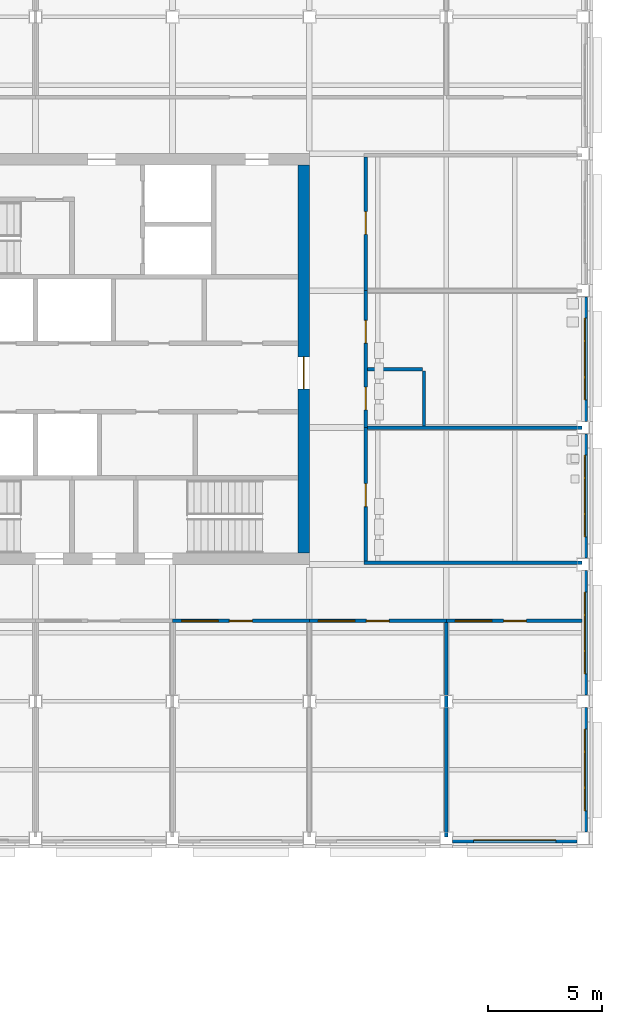
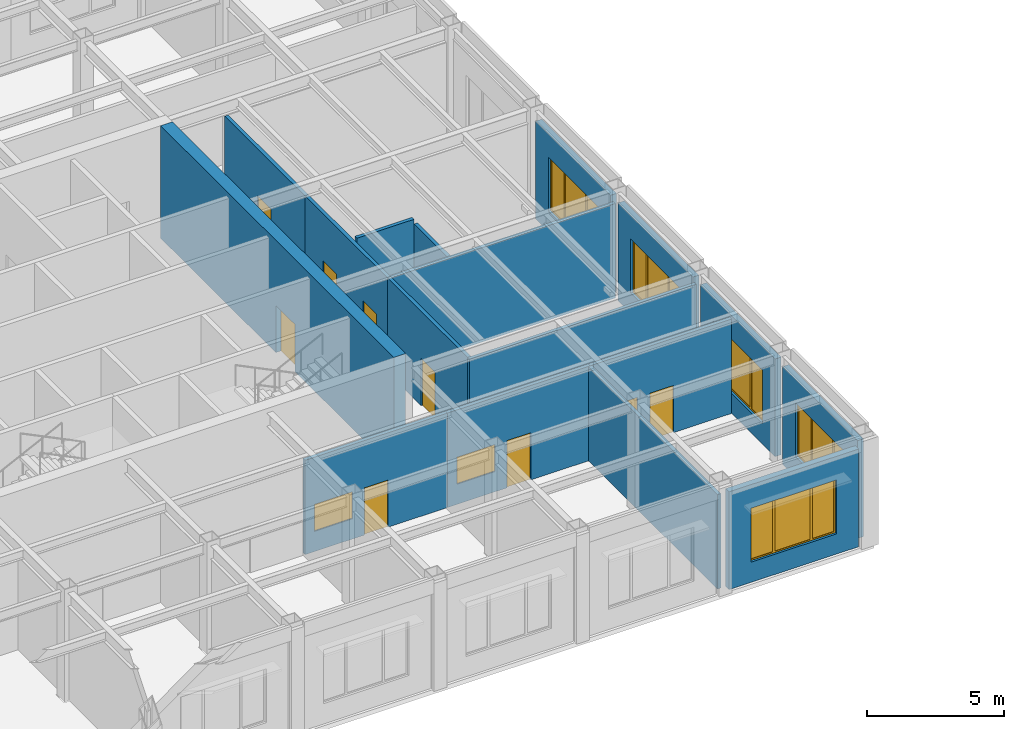
# One storey, part 43 of 76: 17 walls, 8 doors, 8 windows, 16 openings.
"""IFC4 building model written with IfcOpenShell, lengths in metres."""

from ifc_helpers import new_model, si_unit, direction, frame, frame_2d, origin, place, context, subcontext, project, spatial, polyline, rectangle, outline, extrude, material, layer, layer_set, type_object, element, fill, save


model = new_model("IFC4")

# Units and contexts
model_context = context("Model", 3, precision=1e-05, world=origin(), true_north=direction((0.0, 1.0)))
body_context = subcontext(model_context, "Body", "Model", "MODEL_VIEW")
ifc_project = project(units=[si_unit("LENGTHUNIT", "METRE"), si_unit("AREAUNIT", "SQUARE_METRE"), si_unit("VOLUMEUNIT", "CUBIC_METRE"), si_unit("PLANEANGLEUNIT", "RADIAN"), si_unit("MASSUNIT", "GRAM", prefix="KILO")], contexts=[model_context])

# Site, building, storey
site_placement = place(None, origin())
site = spatial("IfcSite", under=ifc_project, at=site_placement, CompositionType="ELEMENT")
building_placement = place(site_placement, origin())
building = spatial("IfcBuilding", under=site, at=building_placement, Name="Aravalli Gate Trade Fair Centre", CompositionType="ELEMENT")
storey_placement = place(building_placement, frame((0.0, 0.0, 10.0)))
storey = spatial("IfcBuildingStorey", under=building, at=storey_placement, Name="L02", CompositionType="ELEMENT", Elevation=10.0)

# Wall, opening, door
ifc_material_1 = material(Name="Concrete M50", Category="concrete")
ifc_layer_1 = layer(ifc_material_1, 0.5)
ifc_layer_set_1 = layer_set([ifc_layer_1], Name="Concrete M50")
wall_type_1 = type_object("IfcWallType", Name="Wing core shear wall 500", PredefinedType="SHEAR", material=ifc_layer_set_1)
wall_1_placement = place(storey_placement, frame((189.75, 103.5, 0.0), z_axis=(0.0, 0.0, 1.0), x_axis=(0.0, 1.0, 0.0)))
wall_1 = element("IfcWall", 1, at=wall_1_placement, inside=storey, type_object=wall_type_1, Name="Core wall E L02", PredefinedType="SHEAR", context=body_context, shape_type="SweptSolid", body=[
    extrude(rectangle(XDim=17.0, YDim=0.5, at=frame_2d((8.5, 0.0))), origin(), (0.0, 0.0, 1.0), 5.0),
])
opening_1_placement = place(wall_1_placement, frame((7.199951171875, 0.0, 0.0)))
opening_1 = element("IfcOpeningElement", 2, at=opening_1_placement, cuts=wall_1, Name="Opening T-L02-107", PredefinedType="OPENING", context=body_context, shape_type="SweptSolid", body=[
    extrude(rectangle(XDim=1.39990234375, YDim=2.10009765625, at=frame_2d((0.699951171875, 1.050048828125))), frame((0.0, 0.260009765625, 0.0), z_axis=(0.0, -1.0, 0.0), x_axis=(1.0, 0.0, 0.0)), (0.0, 0.0, 1.0), 0.52001953125),
])
ifc_material_2 = material(Name="Steel, fire rated", Category="steel")
door_type_1 = type_object("IfcDoorType", Name="Wing fire door FD120 1400 x 2100", OperationType="DOUBLE_DOOR_SINGLE_SWING", PredefinedType="DOOR", material=ifc_material_2)
door_1_placement = place(opening_1_placement, frame((1.39990234375, 0.0, 0.0), z_axis=(0.0, 0.0, 1.0), x_axis=(-1.0, 0.0, 0.0)))
door_1 = element("IfcDoor", 3, at=door_1_placement, inside=storey, type_object=door_type_1, Name="Core door T-L02-107", OperationType="DOUBLE_DOOR_SINGLE_SWING", OverallHeight=2.10009765625, OverallWidth=1.39990234375, PredefinedType="DOOR", context=body_context, shape_type="SweptSolid", body=[
    extrude(rectangle(XDim=1.39990234375, YDim=2.10009765625, at=frame_2d((0.699951171875, 1.050048828125))), frame((0.0, 0.02490234375, 0.0), z_axis=(0.0, -1.0, 0.0), x_axis=(1.0, 0.0, 0.0)), (0.0, 0.0, 1.0), 0.050048828125),
])
fill(opening_1, door_1)

# Wall, openings, door, window
ifc_material_3 = material(Name="Blockwork with fire-rated lining", Category="masonry")
ifc_layer_2 = layer(ifc_material_3, 0.14990234375)
ifc_layer_set_2 = layer_set([ifc_layer_2], Name="Blockwork with fire-rated lining")
wall_type_2 = type_object("IfcWallType", Name="Wing partition 150 (EI 60, corridor wall)", PredefinedType="PARTITIONING", material=ifc_layer_set_2)
wall_2_placement = place(storey_placement, frame((184.0, 100.52490234375, 0.0), z_axis=(0.0, 0.0, 1.0), x_axis=(1.0, 0.0, 0.0)))
wall_2 = element("IfcWall", 4, at=wall_2_placement, inside=storey, type_object=wall_type_2, Name="Partition SW5 L02", PredefinedType="PARTITIONING", context=body_context, shape_type="SweptSolid", body=[
    extrude(rectangle(XDim=6.0, YDim=0.14990234375, at=frame_2d((3.0, 0.0))), origin(), (0.0, 0.0, 1.0), 4.199951171875),
])
opening_2_placement = place(wall_2_placement, frame((0.39990234375, 0.0, 0.89990234375)))
opening_2 = element("IfcOpeningElement", 5, at=opening_2_placement, cuts=wall_2, Name="Opening TWN2", PredefinedType="OPENING", context=body_context, shape_type="SweptSolid", body=[
    extrude(rectangle(XDim=1.60009765625, YDim=1.199951171875, at=frame_2d((0.800048828125, 0.60009765625))), frame((0.0, 0.0849609375, 0.0), z_axis=(0.0, -1.0, 0.0), x_axis=(1.0, 0.0, 0.0)), (0.0, 0.0, 1.0), 0.169921875),
])
opening_3_placement = place(wall_2_placement, frame((2.5, 0.0, 0.0)))
opening_3 = element("IfcOpeningElement", 6, at=opening_3_placement, cuts=wall_2, Name="Opening T-L02-145", PredefinedType="OPENING", context=body_context, shape_type="SweptSolid", body=[
    extrude(rectangle(XDim=1.0, YDim=2.10009765625, at=frame_2d((0.5, 1.050048828125))), frame((0.0, 0.0849609375, 0.0), z_axis=(0.0, -1.0, 0.0), x_axis=(1.0, 0.0, 0.0)), (0.0, 0.0, 1.0), 0.169921875),
])
door_type_2 = type_object("IfcDoorType", Name="Wing fire door FD60 1000 x 2100", OperationType="SINGLE_SWING_LEFT", PredefinedType="DOOR", material=ifc_material_2)
door_2_placement = place(opening_3_placement, frame((1.0, 0.0, 0.0), z_axis=(0.0, 0.0, 1.0), x_axis=(-1.0, 0.0, 0.0)))
door_2 = element("IfcDoor", 7, at=door_2_placement, inside=storey, type_object=door_type_2, Name="Door T-L02-145", OperationType="SINGLE_SWING_RIGHT", OverallHeight=2.10009765625, OverallWidth=1.0, PredefinedType="DOOR", context=body_context, shape_type="SweptSolid", body=[
    extrude(rectangle(XDim=1.0, YDim=2.10009765625, at=frame_2d((0.5, 1.050048828125))), frame((0.0, 0.02490234375, 0.0), z_axis=(0.0, -1.0, 0.0), x_axis=(1.0, 0.0, 0.0)), (0.0, 0.0, 1.0), 0.050048828125),
])
fill(opening_3, door_2)
ifc_material_4 = material(Name="Aluminium and glass", Category="aluminium")
window_type_1 = type_object("IfcWindowType", Name="Wing interior glazed screen 1600 x 1200", PartitioningType="SINGLE_PANEL", PredefinedType="WINDOW", material=ifc_material_4)
window_1_placement = place(opening_2_placement, origin())
window_1 = element("IfcWindow", 8, at=window_1_placement, inside=storey, type_object=window_type_1, Name="Glazed screen T-L02-145", OverallHeight=1.199951171875, OverallWidth=1.60009765625, PartitioningType="SINGLE_PANEL", PredefinedType="WINDOW", context=body_context, shape_type="SweptSolid", body=[
    extrude(rectangle(XDim=1.60009765625, YDim=1.199951171875, at=frame_2d((0.800048828125, 0.60009765625))), frame((0.0, 0.030029296875, 0.0), z_axis=(0.0, -1.0, 0.0), x_axis=(1.0, 0.0, 0.0)), (0.0, 0.0, 1.0), 0.06005859375),
])
fill(opening_2, window_1)

wall_3_placement = place(storey_placement, frame((190.0, 100.52490234375, 0.0), z_axis=(0.0, 0.0, 1.0), x_axis=(1.0, 0.0, 0.0)))
wall_3 = element("IfcWall", 9, at=wall_3_placement, inside=storey, type_object=wall_type_2, Name="Partition SW6 L02", PredefinedType="PARTITIONING", context=body_context, shape_type="SweptSolid", body=[
    extrude(rectangle(XDim=6.0, YDim=0.14990234375, at=frame_2d((3.0, 0.0))), origin(), (0.0, 0.0, 1.0), 4.199951171875),
])
opening_4_placement = place(wall_3_placement, frame((0.39990234375, 0.0, 0.89990234375)))
opening_4 = element("IfcOpeningElement", 10, at=opening_4_placement, cuts=wall_3, Name="Opening TWN2", PredefinedType="OPENING", context=body_context, shape_type="SweptSolid", body=[
    extrude(rectangle(XDim=1.60009765625, YDim=1.199951171875, at=frame_2d((0.800048828125, 0.60009765625))), frame((0.0, 0.0849609375, 0.0), z_axis=(0.0, -1.0, 0.0), x_axis=(1.0, 0.0, 0.0)), (0.0, 0.0, 1.0), 0.169921875),
])
opening_5_placement = place(wall_3_placement, frame((2.5, 0.0, 0.0)))
opening_5 = element("IfcOpeningElement", 11, at=opening_5_placement, cuts=wall_3, Name="Opening T-L02-146", PredefinedType="OPENING", context=body_context, shape_type="SweptSolid", body=[
    extrude(rectangle(XDim=1.0, YDim=2.10009765625, at=frame_2d((0.5, 1.050048828125))), frame((0.0, 0.0849609375, 0.0), z_axis=(0.0, -1.0, 0.0), x_axis=(1.0, 0.0, 0.0)), (0.0, 0.0, 1.0), 0.169921875),
])
door_3_placement = place(opening_5_placement, frame((1.0, 0.0, 0.0), z_axis=(0.0, 0.0, 1.0), x_axis=(-1.0, 0.0, 0.0)))
door_3 = element("IfcDoor", 12, at=door_3_placement, inside=storey, type_object=door_type_2, Name="Door T-L02-146", OperationType="SINGLE_SWING_LEFT", OverallHeight=2.10009765625, OverallWidth=1.0, PredefinedType="DOOR", context=body_context, shape_type="SweptSolid", body=[
    extrude(rectangle(XDim=1.0, YDim=2.10009765625, at=frame_2d((0.5, 1.050048828125))), frame((0.0, 0.02490234375, 0.0), z_axis=(0.0, -1.0, 0.0), x_axis=(1.0, 0.0, 0.0)), (0.0, 0.0, 1.0), 0.050048828125),
])
fill(opening_5, door_3)
window_2_placement = place(opening_4_placement, origin())
window_2 = element("IfcWindow", 13, at=window_2_placement, inside=storey, type_object=window_type_1, Name="Glazed screen T-L02-146", OverallHeight=1.199951171875, OverallWidth=1.60009765625, PartitioningType="SINGLE_PANEL", PredefinedType="WINDOW", context=body_context, shape_type="SweptSolid", body=[
    extrude(rectangle(XDim=1.60009765625, YDim=1.199951171875, at=frame_2d((0.800048828125, 0.60009765625))), frame((0.0, 0.030029296875, 0.0), z_axis=(0.0, -1.0, 0.0), x_axis=(1.0, 0.0, 0.0)), (0.0, 0.0, 1.0), 0.06005859375),
])
fill(opening_4, window_2)

# Wall
wall_4_placement = place(storey_placement, frame((196.0, 91.050048828125, 0.0), z_axis=(0.0, 0.0, 1.0), x_axis=(0.0, 1.0, 0.0)))
element("IfcWall", 14, at=wall_4_placement, inside=storey, type_object=wall_type_2, Name="Partition SP6 L02", PredefinedType="PARTITIONING", context=body_context, shape_type="SweptSolid", body=[
    extrude(rectangle(XDim=9.39990234375, YDim=0.14990234375, at=frame_2d((4.699951171875, 0.0))), origin(), (0.0, 0.0, 1.0), 4.199951171875),
])

# Wall, openings, door, window
wall_5_placement = place(storey_placement, frame((196.0, 100.52490234375, 0.0), z_axis=(0.0, 0.0, 1.0), x_axis=(1.0, 0.0, 0.0)))
wall_5 = element("IfcWall", 15, at=wall_5_placement, inside=storey, type_object=wall_type_2, Name="Partition SW7 L02", PredefinedType="PARTITIONING", context=body_context, shape_type="SweptSolid", body=[
    extrude(rectangle(XDim=5.949951171875, YDim=0.14990234375, at=frame_2d((2.97509765625, 0.0))), origin(), (0.0, 0.0, 1.0), 4.199951171875),
])
opening_6_placement = place(wall_5_placement, frame((0.39990234375, 0.0, 0.89990234375)))
opening_6 = element("IfcOpeningElement", 16, at=opening_6_placement, cuts=wall_5, Name="Opening TWN2", PredefinedType="OPENING", context=body_context, shape_type="SweptSolid", body=[
    extrude(rectangle(XDim=1.60009765625, YDim=1.199951171875, at=frame_2d((0.800048828125, 0.60009765625))), frame((0.0, 0.0849609375, 0.0), z_axis=(0.0, -1.0, 0.0), x_axis=(1.0, 0.0, 0.0)), (0.0, 0.0, 1.0), 0.169921875),
])
opening_7_placement = place(wall_5_placement, frame((2.512451171875, 0.0, 0.0)))
opening_7 = element("IfcOpeningElement", 17, at=opening_7_placement, cuts=wall_5, Name="Opening T-L02-147", PredefinedType="OPENING", context=body_context, shape_type="SweptSolid", body=[
    extrude(rectangle(XDim=1.0, YDim=2.10009765625, at=frame_2d((0.5, 1.050048828125))), frame((0.0, 0.0849609375, 0.0), z_axis=(0.0, -1.0, 0.0), x_axis=(1.0, 0.0, 0.0)), (0.0, 0.0, 1.0), 0.169921875),
])
door_4_placement = place(opening_7_placement, frame((1.0, 0.0, 0.0), z_axis=(0.0, 0.0, 1.0), x_axis=(-1.0, 0.0, 0.0)))
door_4 = element("IfcDoor", 18, at=door_4_placement, inside=storey, type_object=door_type_2, Name="Door T-L02-147", OperationType="SINGLE_SWING_RIGHT", OverallHeight=2.10009765625, OverallWidth=1.0, PredefinedType="DOOR", context=body_context, shape_type="SweptSolid", body=[
    extrude(rectangle(XDim=1.0, YDim=2.10009765625, at=frame_2d((0.5, 1.050048828125))), frame((0.0, 0.02490234375, 0.0), z_axis=(0.0, -1.0, 0.0), x_axis=(1.0, 0.0, 0.0)), (0.0, 0.0, 1.0), 0.050048828125),
])
fill(opening_7, door_4)
window_3_placement = place(opening_6_placement, origin())
window_3 = element("IfcWindow", 19, at=window_3_placement, inside=storey, type_object=window_type_1, Name="Glazed screen T-L02-147", OverallHeight=1.199951171875, OverallWidth=1.60009765625, PartitioningType="SINGLE_PANEL", PredefinedType="WINDOW", context=body_context, shape_type="SweptSolid", body=[
    extrude(rectangle(XDim=1.60009765625, YDim=1.199951171875, at=frame_2d((0.800048828125, 0.60009765625))), frame((0.0, 0.030029296875, 0.0), z_axis=(0.0, -1.0, 0.0), x_axis=(1.0, 0.0, 0.0)), (0.0, 0.0, 1.0), 0.06005859375),
])
fill(opening_6, window_3)

# Wall, opening, door
wall_6_placement = place(storey_placement, frame((192.47509765625, 103.14990234375, 0.0), z_axis=(0.0, 0.0, 1.0), x_axis=(0.0, 1.0, 0.0)))
wall_6 = element("IfcWall", 20, at=wall_6_placement, inside=storey, type_object=wall_type_2, Name="Partition EW1 L02", PredefinedType="PARTITIONING", context=body_context, shape_type="SweptSolid", body=[
    extrude(rectangle(XDim=5.85009765625, YDim=0.14990234375, at=frame_2d((2.925048828125, 0.0))), origin(), (0.0, 0.0, 1.0), 4.199951171875),
])
opening_8_placement = place(wall_6_placement, frame((2.387451171875, 0.0, 0.0)))
opening_8 = element("IfcOpeningElement", 21, at=opening_8_placement, cuts=wall_6, Name="Opening T-L02-151", PredefinedType="OPENING", context=body_context, shape_type="SweptSolid", body=[
    extrude(rectangle(XDim=1.0, YDim=2.10009765625, at=frame_2d((0.5, 1.050048828125))), frame((0.0, 0.0849609375, 0.0), z_axis=(0.0, -1.0, 0.0), x_axis=(1.0, 0.0, 0.0)), (0.0, 0.0, 1.0), 0.169921875),
])
door_5_placement = place(opening_8_placement, frame((1.0, 0.0, 0.0), z_axis=(0.0, 0.0, 1.0), x_axis=(-1.0, 0.0, 0.0)))
door_5 = element("IfcDoor", 22, at=door_5_placement, inside=storey, type_object=door_type_2, Name="Door T-L02-151", OperationType="SINGLE_SWING_RIGHT", OverallHeight=2.10009765625, OverallWidth=1.0, PredefinedType="DOOR", context=body_context, shape_type="SweptSolid", body=[
    extrude(rectangle(XDim=1.0, YDim=2.10009765625, at=frame_2d((0.5, 1.050048828125))), frame((0.0, 0.02490234375, 0.0), z_axis=(0.0, -1.0, 0.0), x_axis=(1.0, 0.0, 0.0)), (0.0, 0.0, 1.0), 0.050048828125),
])
fill(opening_8, door_5)

# Wall
wall_7_placement = place(storey_placement, frame((192.550048828125, 109.0, 0.0), z_axis=(0.0, 0.0, 1.0), x_axis=(1.0, 0.0, 0.0)))
element("IfcWall", 23, at=wall_7_placement, inside=storey, type_object=wall_type_2, Name="Partition EP1 L02", PredefinedType="PARTITIONING", context=body_context, shape_type="SweptSolid", body=[
    extrude(rectangle(XDim=9.39990234375, YDim=0.14990234375, at=frame_2d((4.699951171875, 0.0))), origin(), (0.0, 0.0, 1.0), 4.199951171875),
])

# Wall, openings, doors
wall_8_placement = place(storey_placement, frame((192.47509765625, 109.0, 0.0), z_axis=(0.0, 0.0, 1.0), x_axis=(0.0, 1.0, 0.0)))
wall_8 = element("IfcWall", 24, at=wall_8_placement, inside=storey, type_object=wall_type_2, Name="Partition EW2 L02", PredefinedType="PARTITIONING", context=body_context, shape_type="SweptSolid", body=[
    extrude(rectangle(XDim=6.0, YDim=0.14990234375, at=frame_2d((3.0, 0.0))), origin(), (0.0, 0.0, 1.0), 4.199951171875),
])
opening_9_placement = place(wall_8_placement, frame((3.699951171875, 0.0, 0.0)))
opening_9 = element("IfcOpeningElement", 25, at=opening_9_placement, cuts=wall_8, Name="Opening T-L02-152", PredefinedType="OPENING", context=body_context, shape_type="SweptSolid", body=[
    extrude(rectangle(XDim=1.0, YDim=2.10009765625, at=frame_2d((0.5, 1.050048828125))), frame((0.0, 0.0849609375, 0.0), z_axis=(0.0, -1.0, 0.0), x_axis=(1.0, 0.0, 0.0)), (0.0, 0.0, 1.0), 0.169921875),
])
opening_10_placement = place(wall_8_placement, frame((0.77490234375, 0.0, 0.0)))
opening_10 = element("IfcOpeningElement", 26, at=opening_10_placement, cuts=wall_8, Name="Opening T-L02-153", PredefinedType="OPENING", context=body_context, shape_type="SweptSolid", body=[
    extrude(rectangle(XDim=1.0, YDim=2.10009765625, at=frame_2d((0.5, 1.050048828125))), frame((0.0, 0.0849609375, 0.0), z_axis=(0.0, -1.0, 0.0), x_axis=(1.0, 0.0, 0.0)), (0.0, 0.0, 1.0), 0.169921875),
])
door_6_placement = place(opening_9_placement, frame((1.0, 0.0, 0.0), z_axis=(0.0, 0.0, 1.0), x_axis=(-1.0, 0.0, 0.0)))
door_6 = element("IfcDoor", 27, at=door_6_placement, inside=storey, type_object=door_type_2, Name="Door T-L02-152", OperationType="SINGLE_SWING_RIGHT", OverallHeight=2.10009765625, OverallWidth=1.0, PredefinedType="DOOR", context=body_context, shape_type="SweptSolid", body=[
    extrude(rectangle(XDim=1.0, YDim=2.10009765625, at=frame_2d((0.5, 1.050048828125))), frame((0.0, 0.02490234375, 0.0), z_axis=(0.0, -1.0, 0.0), x_axis=(1.0, 0.0, 0.0)), (0.0, 0.0, 1.0), 0.050048828125),
])
fill(opening_9, door_6)
door_7_placement = place(opening_10_placement, frame((1.0, 0.0, 0.0), z_axis=(0.0, 0.0, 1.0), x_axis=(-1.0, 0.0, 0.0)))
door_7 = element("IfcDoor", 28, at=door_7_placement, inside=storey, type_object=door_type_2, Name="Door T-L02-153", OperationType="SINGLE_SWING_RIGHT", OverallHeight=2.10009765625, OverallWidth=1.0, PredefinedType="DOOR", context=body_context, shape_type="SweptSolid", body=[
    extrude(rectangle(XDim=1.0, YDim=2.10009765625, at=frame_2d((0.5, 1.050048828125))), frame((0.0, 0.02490234375, 0.0), z_axis=(0.0, -1.0, 0.0), x_axis=(1.0, 0.0, 0.0)), (0.0, 0.0, 1.0), 0.050048828125),
])
fill(opening_10, door_7)

# Walls
wall_9_placement = place(storey_placement, frame((195.02490234375, 109.074951171875, 0.0), z_axis=(0.0, 0.0, 1.0), x_axis=(0.0, 1.0, 0.0)))
element("IfcWall", 29, at=wall_9_placement, inside=storey, type_object=wall_type_2, Name="Partition EA2x L02", PredefinedType="PARTITIONING", context=body_context, shape_type="SweptSolid", body=[
    extrude(rectangle(XDim=2.400146484375, YDim=0.14990234375, at=frame_2d((1.2001953125, 0.0))), origin(), (0.0, 0.0, 1.0), 4.199951171875),
])
wall_10_placement = place(storey_placement, frame((192.550048828125, 111.550048828125, 0.0), z_axis=(0.0, 0.0, 1.0), x_axis=(1.0, 0.0, 0.0)))
element("IfcWall", 30, at=wall_10_placement, inside=storey, type_object=wall_type_2, Name="Partition EA2y L02", PredefinedType="PARTITIONING", context=body_context, shape_type="SweptSolid", body=[
    extrude(rectangle(XDim=2.39990234375, YDim=0.14990234375, at=frame_2d((1.199951171875, 0.0))), origin(), (0.0, 0.0, 1.0), 4.39990234375),
])

# Wall, opening, door
wall_11_placement = place(storey_placement, frame((192.47509765625, 115.0, 0.0), z_axis=(0.0, 0.0, 1.0), x_axis=(0.0, 1.0, 0.0)))
wall_11 = element("IfcWall", 31, at=wall_11_placement, inside=storey, type_object=wall_type_2, Name="Partition EW3 L02", PredefinedType="PARTITIONING", context=body_context, shape_type="SweptSolid", body=[
    extrude(rectangle(XDim=5.85009765625, YDim=0.14990234375, at=frame_2d((2.925048828125, 0.0))), origin(), (0.0, 0.0, 1.0), 4.199951171875),
])
opening_11_placement = place(wall_11_placement, frame((2.46240234375, 0.0, 0.0)))
opening_11 = element("IfcOpeningElement", 32, at=opening_11_placement, cuts=wall_11, Name="Opening T-L02-154", PredefinedType="OPENING", context=body_context, shape_type="SweptSolid", body=[
    extrude(rectangle(XDim=1.0, YDim=2.10009765625, at=frame_2d((0.5, 1.050048828125))), frame((0.0, 0.0849609375, 0.0), z_axis=(0.0, -1.0, 0.0), x_axis=(1.0, 0.0, 0.0)), (0.0, 0.0, 1.0), 0.169921875),
])
door_8_placement = place(opening_11_placement, frame((1.0, 0.0, 0.0), z_axis=(0.0, 0.0, 1.0), x_axis=(-1.0, 0.0, 0.0)))
door_8 = element("IfcDoor", 33, at=door_8_placement, inside=storey, type_object=door_type_2, Name="Door T-L02-154", OperationType="SINGLE_SWING_LEFT", OverallHeight=2.10009765625, OverallWidth=1.0, PredefinedType="DOOR", context=body_context, shape_type="SweptSolid", body=[
    extrude(rectangle(XDim=1.0, YDim=2.10009765625, at=frame_2d((0.5, 1.050048828125))), frame((0.0, 0.02490234375, 0.0), z_axis=(0.0, -1.0, 0.0), x_axis=(1.0, 0.0, 0.0)), (0.0, 0.0, 1.0), 0.050048828125),
])
fill(opening_11, door_8)

# Wall
wall_12_placement = place(storey_placement, frame((192.39990234375, 103.074951171875, 0.0), z_axis=(0.0, 0.0, 1.0), x_axis=(1.0, 0.0, 0.0)))
element("IfcWall", 34, at=wall_12_placement, inside=storey, type_object=wall_type_2, Name="Partition CL-SE L02", PredefinedType="PARTITIONING", context=body_context, shape_type="SweptSolid", body=[
    extrude(rectangle(XDim=9.550048828125, YDim=0.14990234375, at=frame_2d((4.77490234375, 0.0))), origin(), (0.0, 0.0, 1.0), 4.199951171875),
])

# Wall, opening, window
ifc_material_5 = material(Name="Concrete block masonry", Category="masonry")
ifc_layer_3 = layer(ifc_material_5, 0.2099609375, Name="Block masonry")
ifc_material_6 = material(Name="Terracotta cladding", Category="masonry")
ifc_layer_4 = layer(ifc_material_6, 0.0400390625, Name="Terracotta cladding")
ifc_layer_set_3 = layer_set([ifc_layer_3, ifc_layer_4], Name="Wing terracotta clad infill wall 250")
wall_type_3 = type_object("IfcWallType", Name="Wing terracotta clad infill wall 250", PredefinedType="SOLIDWALL", material=ifc_layer_set_3)
wall_13_placement = place(storey_placement, frame((196.27490234375, 90.925048828125, 0.0), z_axis=(0.0, 0.0, 1.0), x_axis=(1.0, 0.0, 0.0)))
wall_13 = element("IfcWall", 35, at=wall_13_placement, inside=storey, type_object=wall_type_3, Name="Facade wall S6 L02", PredefinedType="SOLIDWALL", context=body_context, shape_type="SweptSolid", body=[
    extrude(rectangle(XDim=5.4501953125, YDim=0.25, at=frame_2d((2.72509765625, 0.0))), origin(), (0.0, 0.0, 1.0), 4.35009765625),
])
opening_12_placement = place(wall_13_placement, frame((0.925048828125, 0.0, 0.89990234375)))
opening_12 = element("IfcOpeningElement", 36, at=opening_12_placement, cuts=wall_13, Name="Opening TWN1", PredefinedType="OPENING", context=body_context, shape_type="SweptSolid", body=[
    extrude(rectangle(XDim=3.60009765625, YDim=2.39990234375, at=frame_2d((1.800048828125, 1.199951171875))), frame((0.0, 0.135009765625, 0.0), z_axis=(0.0, -1.0, 0.0), x_axis=(1.0, 0.0, 0.0)), (0.0, 0.0, 1.0), 0.27001953125),
])
window_type_2 = type_object("IfcWindowType", Name="Wing chicago window 3600 x 2400", PartitioningType="TRIPLE_PANEL_VERTICAL", PredefinedType="WINDOW", material=ifc_material_4)
window_4_placement = place(opening_12_placement, origin())
window_4 = element("IfcWindow", 37, at=window_4_placement, inside=storey, type_object=window_type_2, Name="Window S6 L02", OverallHeight=2.39990234375, OverallWidth=3.60009765625, PartitioningType="TRIPLE_PANEL_VERTICAL", PredefinedType="WINDOW", context=body_context, shape_type="SweptSolid", body=[
    extrude(outline(polyline([(0.0, 0.0), (3.60009765625, 0.0), (3.60009765625, 2.39990234375), (0.0, 2.39990234375), (0.0, 0.0)]), holes=[polyline([(0.06005859375, 0.06005859375), (0.9599609375, 0.06005859375), (0.9599609375, 2.33984375), (0.06005859375, 2.33984375), (0.06005859375, 0.06005859375)]), polyline([(1.06005859375, 0.06005859375), (2.539794921875, 0.06005859375), (2.539794921875, 2.33984375), (1.06005859375, 2.33984375), (1.06005859375, 0.06005859375)]), polyline([(2.639892578125, 0.06005859375), (3.539794921875, 0.06005859375), (3.539794921875, 2.33984375), (2.639892578125, 2.33984375), (2.639892578125, 0.06005859375)])]), frame((0.0, 0.030029296875, 0.0), z_axis=(0.0, -1.0, 0.0), x_axis=(1.0, 0.0, 0.0)), (0.0, 0.0, 1.0), 0.06005859375),
    extrude(rectangle(XDim=0.923828125, YDim=2.3037109375, at=frame_2d((0.510009765625, 1.199951171875))), frame((0.0, 0.010009765625, 0.0), z_axis=(0.0, -1.0, 0.0), x_axis=(1.0, 0.0, 0.0)), (0.0, 0.0, 1.0), 0.02001953125),
    extrude(rectangle(XDim=1.503662109375, YDim=2.3037109375, at=frame_2d((1.7998046875, 1.199951171875))), frame((0.0, 0.010009765625, 0.0), z_axis=(0.0, -1.0, 0.0), x_axis=(1.0, 0.0, 0.0)), (0.0, 0.0, 1.0), 0.02001953125),
    extrude(rectangle(XDim=0.923828125, YDim=2.3037109375, at=frame_2d((3.08984375, 1.199951171875))), frame((0.0, 0.010009765625, 0.0), z_axis=(0.0, -1.0, 0.0), x_axis=(1.0, 0.0, 0.0)), (0.0, 0.0, 1.0), 0.02001953125),
])
fill(opening_12, window_4)

wall_14_placement = place(storey_placement, frame((202.074951171875, 91.27490234375, 0.0), z_axis=(0.0, 0.0, 1.0), x_axis=(0.0, 1.0, 0.0)))
wall_14 = element("IfcWall", 38, at=wall_14_placement, inside=storey, type_object=wall_type_3, Name="Facade wall E0 L02", PredefinedType="SOLIDWALL", context=body_context, shape_type="SweptSolid", body=[
    extrude(rectangle(XDim=5.4501953125, YDim=0.25, at=frame_2d((2.72509765625, 0.0))), origin(), (0.0, 0.0, 1.0), 4.35009765625),
])
opening_13_placement = place(wall_14_placement, frame((0.925048828125, 0.0, 0.89990234375)))
opening_13 = element("IfcOpeningElement", 39, at=opening_13_placement, cuts=wall_14, Name="Opening TWN1", PredefinedType="OPENING", context=body_context, shape_type="SweptSolid", body=[
    extrude(rectangle(XDim=3.60009765625, YDim=2.39990234375, at=frame_2d((1.800048828125, 1.199951171875))), frame((0.0, 0.135009765625, 0.0), z_axis=(0.0, -1.0, 0.0), x_axis=(1.0, 0.0, 0.0)), (0.0, 0.0, 1.0), 0.27001953125),
])
window_5_placement = place(opening_13_placement, origin())
window_5 = element("IfcWindow", 40, at=window_5_placement, inside=storey, type_object=window_type_2, Name="Window E0 L02", OverallHeight=2.39990234375, OverallWidth=3.60009765625, PartitioningType="TRIPLE_PANEL_VERTICAL", PredefinedType="WINDOW", context=body_context, shape_type="SweptSolid", body=[
    extrude(outline(polyline([(0.0, 0.0), (3.60009765625, 0.0), (3.60009765625, 2.39990234375), (0.0, 2.39990234375), (0.0, 0.0)]), holes=[polyline([(0.06005859375, 0.06005859375), (0.9599609375, 0.06005859375), (0.9599609375, 2.33984375), (0.06005859375, 2.33984375), (0.06005859375, 0.06005859375)]), polyline([(1.06005859375, 0.06005859375), (2.539794921875, 0.06005859375), (2.539794921875, 2.33984375), (1.06005859375, 2.33984375), (1.06005859375, 0.06005859375)]), polyline([(2.639892578125, 0.06005859375), (3.539794921875, 0.06005859375), (3.539794921875, 2.33984375), (2.639892578125, 2.33984375), (2.639892578125, 0.06005859375)])]), frame((0.0, 0.030029296875, 0.0), z_axis=(0.0, -1.0, 0.0), x_axis=(1.0, 0.0, 0.0)), (0.0, 0.0, 1.0), 0.06005859375),
    extrude(rectangle(XDim=0.923828125, YDim=2.3037109375, at=frame_2d((0.510009765625, 1.199951171875))), frame((0.0, 0.010009765625, 0.0), z_axis=(0.0, -1.0, 0.0), x_axis=(1.0, 0.0, 0.0)), (0.0, 0.0, 1.0), 0.02001953125),
    extrude(rectangle(XDim=1.503662109375, YDim=2.3037109375, at=frame_2d((1.7998046875, 1.199951171875))), frame((0.0, 0.010009765625, 0.0), z_axis=(0.0, -1.0, 0.0), x_axis=(1.0, 0.0, 0.0)), (0.0, 0.0, 1.0), 0.02001953125),
    extrude(rectangle(XDim=0.923828125, YDim=2.3037109375, at=frame_2d((3.08984375, 1.199951171875))), frame((0.0, 0.010009765625, 0.0), z_axis=(0.0, -1.0, 0.0), x_axis=(1.0, 0.0, 0.0)), (0.0, 0.0, 1.0), 0.02001953125),
])
fill(opening_13, window_5)

wall_15_placement = place(storey_placement, frame((202.074951171875, 97.27490234375, 0.0), z_axis=(0.0, 0.0, 1.0), x_axis=(0.0, 1.0, 0.0)))
wall_15 = element("IfcWall", 41, at=wall_15_placement, inside=storey, type_object=wall_type_3, Name="Facade wall E1 L02", PredefinedType="SOLIDWALL", context=body_context, shape_type="SweptSolid", body=[
    extrude(rectangle(XDim=5.4501953125, YDim=0.25, at=frame_2d((2.72509765625, 0.0))), origin(), (0.0, 0.0, 1.0), 4.35009765625),
])
opening_14_placement = place(wall_15_placement, frame((0.925048828125, 0.0, 0.89990234375)))
opening_14 = element("IfcOpeningElement", 42, at=opening_14_placement, cuts=wall_15, Name="Opening TWN1", PredefinedType="OPENING", context=body_context, shape_type="SweptSolid", body=[
    extrude(rectangle(XDim=3.60009765625, YDim=2.39990234375, at=frame_2d((1.800048828125, 1.199951171875))), frame((0.0, 0.135009765625, 0.0), z_axis=(0.0, -1.0, 0.0), x_axis=(1.0, 0.0, 0.0)), (0.0, 0.0, 1.0), 0.27001953125),
])
window_6_placement = place(opening_14_placement, origin())
window_6 = element("IfcWindow", 43, at=window_6_placement, inside=storey, type_object=window_type_2, Name="Window E1 L02", OverallHeight=2.39990234375, OverallWidth=3.60009765625, PartitioningType="TRIPLE_PANEL_VERTICAL", PredefinedType="WINDOW", context=body_context, shape_type="SweptSolid", body=[
    extrude(outline(polyline([(0.0, 0.0), (3.60009765625, 0.0), (3.60009765625, 2.39990234375), (0.0, 2.39990234375), (0.0, 0.0)]), holes=[polyline([(0.06005859375, 0.06005859375), (0.9599609375, 0.06005859375), (0.9599609375, 2.33984375), (0.06005859375, 2.33984375), (0.06005859375, 0.06005859375)]), polyline([(1.06005859375, 0.06005859375), (2.539794921875, 0.06005859375), (2.539794921875, 2.33984375), (1.06005859375, 2.33984375), (1.06005859375, 0.06005859375)]), polyline([(2.639892578125, 0.06005859375), (3.539794921875, 0.06005859375), (3.539794921875, 2.33984375), (2.639892578125, 2.33984375), (2.639892578125, 0.06005859375)])]), frame((0.0, 0.030029296875, 0.0), z_axis=(0.0, -1.0, 0.0), x_axis=(1.0, 0.0, 0.0)), (0.0, 0.0, 1.0), 0.06005859375),
    extrude(rectangle(XDim=0.923828125, YDim=2.3037109375, at=frame_2d((0.510009765625, 1.199951171875))), frame((0.0, 0.010009765625, 0.0), z_axis=(0.0, -1.0, 0.0), x_axis=(1.0, 0.0, 0.0)), (0.0, 0.0, 1.0), 0.02001953125),
    extrude(rectangle(XDim=1.503662109375, YDim=2.3037109375, at=frame_2d((1.7998046875, 1.199951171875))), frame((0.0, 0.010009765625, 0.0), z_axis=(0.0, -1.0, 0.0), x_axis=(1.0, 0.0, 0.0)), (0.0, 0.0, 1.0), 0.02001953125),
    extrude(rectangle(XDim=0.923828125, YDim=2.3037109375, at=frame_2d((3.08984375, 1.199951171875))), frame((0.0, 0.010009765625, 0.0), z_axis=(0.0, -1.0, 0.0), x_axis=(1.0, 0.0, 0.0)), (0.0, 0.0, 1.0), 0.02001953125),
])
fill(opening_14, window_6)

wall_16_placement = place(storey_placement, frame((202.074951171875, 103.27490234375, 0.0), z_axis=(0.0, 0.0, 1.0), x_axis=(0.0, 1.0, 0.0)))
wall_16 = element("IfcWall", 44, at=wall_16_placement, inside=storey, type_object=wall_type_3, Name="Facade wall E2 L02", PredefinedType="SOLIDWALL", context=body_context, shape_type="SweptSolid", body=[
    extrude(rectangle(XDim=5.4501953125, YDim=0.25, at=frame_2d((2.72509765625, 0.0))), origin(), (0.0, 0.0, 1.0), 4.35009765625),
])
opening_15_placement = place(wall_16_placement, frame((0.925048828125, 0.0, 0.89990234375)))
opening_15 = element("IfcOpeningElement", 45, at=opening_15_placement, cuts=wall_16, Name="Opening TWN1", PredefinedType="OPENING", context=body_context, shape_type="SweptSolid", body=[
    extrude(rectangle(XDim=3.60009765625, YDim=2.39990234375, at=frame_2d((1.800048828125, 1.199951171875))), frame((0.0, 0.135009765625, 0.0), z_axis=(0.0, -1.0, 0.0), x_axis=(1.0, 0.0, 0.0)), (0.0, 0.0, 1.0), 0.27001953125),
])
window_7_placement = place(opening_15_placement, origin())
window_7 = element("IfcWindow", 46, at=window_7_placement, inside=storey, type_object=window_type_2, Name="Window E2 L02", OverallHeight=2.39990234375, OverallWidth=3.60009765625, PartitioningType="TRIPLE_PANEL_VERTICAL", PredefinedType="WINDOW", context=body_context, shape_type="SweptSolid", body=[
    extrude(outline(polyline([(0.0, 0.0), (3.60009765625, 0.0), (3.60009765625, 2.39990234375), (0.0, 2.39990234375), (0.0, 0.0)]), holes=[polyline([(0.06005859375, 0.06005859375), (0.9599609375, 0.06005859375), (0.9599609375, 2.33984375), (0.06005859375, 2.33984375), (0.06005859375, 0.06005859375)]), polyline([(1.06005859375, 0.06005859375), (2.539794921875, 0.06005859375), (2.539794921875, 2.33984375), (1.06005859375, 2.33984375), (1.06005859375, 0.06005859375)]), polyline([(2.639892578125, 0.06005859375), (3.539794921875, 0.06005859375), (3.539794921875, 2.33984375), (2.639892578125, 2.33984375), (2.639892578125, 0.06005859375)])]), frame((0.0, 0.030029296875, 0.0), z_axis=(0.0, -1.0, 0.0), x_axis=(1.0, 0.0, 0.0)), (0.0, 0.0, 1.0), 0.06005859375),
    extrude(rectangle(XDim=0.923828125, YDim=2.3037109375, at=frame_2d((0.510009765625, 1.199951171875))), frame((0.0, 0.010009765625, 0.0), z_axis=(0.0, -1.0, 0.0), x_axis=(1.0, 0.0, 0.0)), (0.0, 0.0, 1.0), 0.02001953125),
    extrude(rectangle(XDim=1.503662109375, YDim=2.3037109375, at=frame_2d((1.7998046875, 1.199951171875))), frame((0.0, 0.010009765625, 0.0), z_axis=(0.0, -1.0, 0.0), x_axis=(1.0, 0.0, 0.0)), (0.0, 0.0, 1.0), 0.02001953125),
    extrude(rectangle(XDim=0.923828125, YDim=2.3037109375, at=frame_2d((3.08984375, 1.199951171875))), frame((0.0, 0.010009765625, 0.0), z_axis=(0.0, -1.0, 0.0), x_axis=(1.0, 0.0, 0.0)), (0.0, 0.0, 1.0), 0.02001953125),
])
fill(opening_15, window_7)

wall_17_placement = place(storey_placement, frame((202.074951171875, 109.27490234375, 0.0), z_axis=(0.0, 0.0, 1.0), x_axis=(0.0, 1.0, 0.0)))
wall_17 = element("IfcWall", 47, at=wall_17_placement, inside=storey, type_object=wall_type_3, Name="Facade wall E3 L02", PredefinedType="SOLIDWALL", context=body_context, shape_type="SweptSolid", body=[
    extrude(rectangle(XDim=5.4501953125, YDim=0.25, at=frame_2d((2.72509765625, 0.0))), origin(), (0.0, 0.0, 1.0), 4.35009765625),
])
opening_16_placement = place(wall_17_placement, frame((0.925048828125, 0.0, 0.89990234375)))
opening_16 = element("IfcOpeningElement", 48, at=opening_16_placement, cuts=wall_17, Name="Opening TWN1", PredefinedType="OPENING", context=body_context, shape_type="SweptSolid", body=[
    extrude(rectangle(XDim=3.60009765625, YDim=2.39990234375, at=frame_2d((1.800048828125, 1.199951171875))), frame((0.0, 0.135009765625, 0.0), z_axis=(0.0, -1.0, 0.0), x_axis=(1.0, 0.0, 0.0)), (0.0, 0.0, 1.0), 0.27001953125),
])
window_8_placement = place(opening_16_placement, origin())
window_8 = element("IfcWindow", 49, at=window_8_placement, inside=storey, type_object=window_type_2, Name="Window E3 L02", OverallHeight=2.39990234375, OverallWidth=3.60009765625, PartitioningType="TRIPLE_PANEL_VERTICAL", PredefinedType="WINDOW", context=body_context, shape_type="SweptSolid", body=[
    extrude(outline(polyline([(0.0, 0.0), (3.60009765625, 0.0), (3.60009765625, 2.39990234375), (0.0, 2.39990234375), (0.0, 0.0)]), holes=[polyline([(0.06005859375, 0.06005859375), (0.9599609375, 0.06005859375), (0.9599609375, 2.33984375), (0.06005859375, 2.33984375), (0.06005859375, 0.06005859375)]), polyline([(1.06005859375, 0.06005859375), (2.539794921875, 0.06005859375), (2.539794921875, 2.33984375), (1.06005859375, 2.33984375), (1.06005859375, 0.06005859375)]), polyline([(2.639892578125, 0.06005859375), (3.539794921875, 0.06005859375), (3.539794921875, 2.33984375), (2.639892578125, 2.33984375), (2.639892578125, 0.06005859375)])]), frame((0.0, 0.030029296875, 0.0), z_axis=(0.0, -1.0, 0.0), x_axis=(1.0, 0.0, 0.0)), (0.0, 0.0, 1.0), 0.06005859375),
    extrude(rectangle(XDim=0.923828125, YDim=2.3037109375, at=frame_2d((0.510009765625, 1.199951171875))), frame((0.0, 0.010009765625, 0.0), z_axis=(0.0, -1.0, 0.0), x_axis=(1.0, 0.0, 0.0)), (0.0, 0.0, 1.0), 0.02001953125),
    extrude(rectangle(XDim=1.503662109375, YDim=2.3037109375, at=frame_2d((1.7998046875, 1.199951171875))), frame((0.0, 0.010009765625, 0.0), z_axis=(0.0, -1.0, 0.0), x_axis=(1.0, 0.0, 0.0)), (0.0, 0.0, 1.0), 0.02001953125),
    extrude(rectangle(XDim=0.923828125, YDim=2.3037109375, at=frame_2d((3.08984375, 1.199951171875))), frame((0.0, 0.010009765625, 0.0), z_axis=(0.0, -1.0, 0.0), x_axis=(1.0, 0.0, 0.0)), (0.0, 0.0, 1.0), 0.02001953125),
])
fill(opening_16, window_8)

save(model, "model.ifc")
